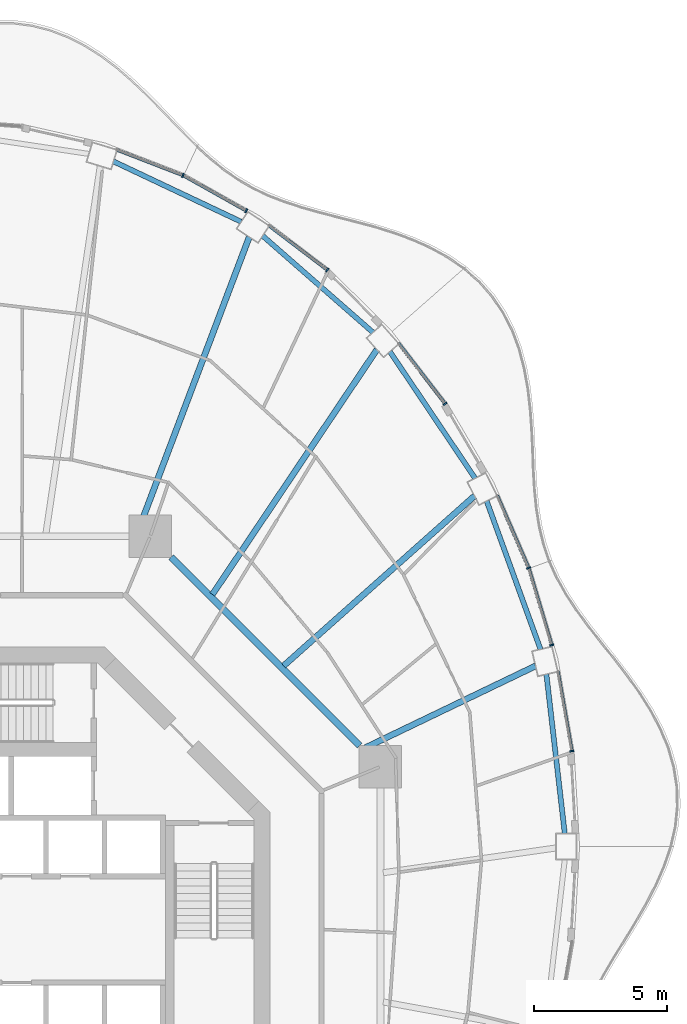
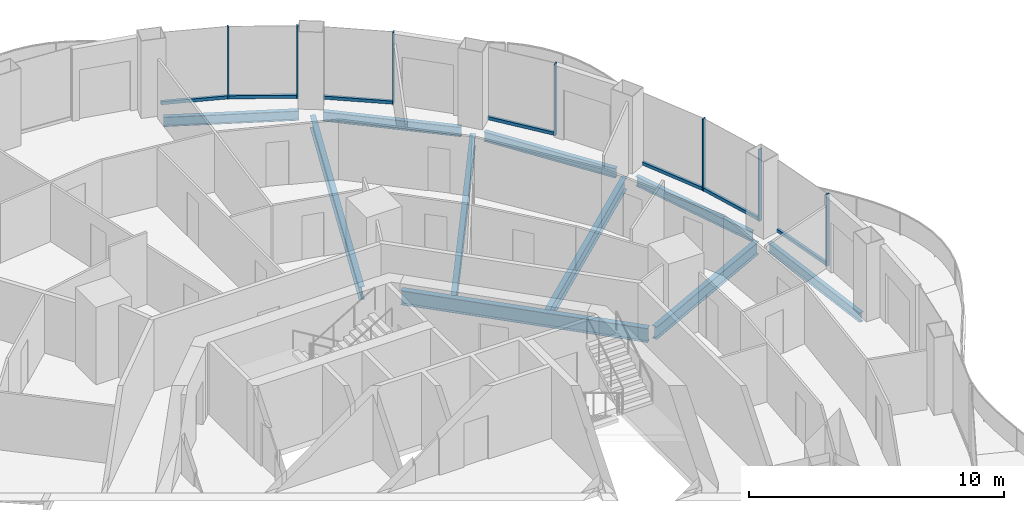
# One storey, part 7 of 18: 14 members, 10 beams, 7 elements without a shape of their own.
"""IFC4 building model written with IfcOpenShell, lengths in metres."""

from ifc_helpers import new_model, si_unit, direction, frame, origin, origin_2d, place, context, subcontext, project, spatial, rectangle, i_section, extrude, material, layer, layer_set, material_profile, profile_set, type_object, element, aggregate, save


model = new_model("IFC4")

# Units and contexts
model_context = context("Model", 3, precision=1e-05, world=origin(), true_north=direction((0.0, 1.0)))
body_context = subcontext(model_context, "Body", "Model", "MODEL_VIEW")
ifc_project = project(units=[si_unit("LENGTHUNIT", "METRE"), si_unit("AREAUNIT", "SQUARE_METRE"), si_unit("VOLUMEUNIT", "CUBIC_METRE"), si_unit("PLANEANGLEUNIT", "RADIAN"), si_unit("MASSUNIT", "GRAM", prefix="KILO")], contexts=[model_context])

# Site, building, storey
site_placement = place(None, origin())
site = spatial("IfcSite", under=ifc_project, at=site_placement, CompositionType="ELEMENT")
building_placement = place(site_placement, origin())
building = spatial("IfcBuilding", under=site, at=building_placement, Name="Nagisa Residences", CompositionType="ELEMENT")
storey_placement = place(building_placement, frame((0.0, 0.0, 238.10009765625)))
storey = spatial("IfcBuildingStorey", under=building, at=storey_placement, Name="L60", CompositionType="ELEMENT", Elevation=238.10009765625)

# Curtain wall, member
ifc_material_1 = material(Name="Concrete-coloured aluminium curtain wall system", Category="concrete")
ifc_layer = layer(ifc_material_1, 0.159912109375)
ifc_layer_set = layer_set([ifc_layer], Name="CW1 CURTAIN WALL")
curtain_wall_type = type_object("IfcCurtainWallType", Name="CW1 CURTAIN WALL", PredefinedType="NOTDEFINED", material=ifc_layer_set)
curtain_wall_1_placement = place(storey_placement, origin())
curtain_wall_1 = element("IfcCurtainWall", 1, at=curtain_wall_1_placement, inside=storey, type_object=curtain_wall_type, Name="cw:CW1:L60:01", PredefinedType="NOTDEFINED")
ifc_material_2 = material(Name="Concrete-coloured aluminium", Category="concrete")
ifc_material_profile_1 = material_profile(ifc_material_2, rectangle(XDim=0.159912109375, YDim=0.06005859375, at=origin_2d()), Name="CW1 MULLION 160x60")
ifc_profile_set_1 = profile_set([ifc_material_profile_1], Name="Concrete-coloured aluminium")
member_type_1 = type_object("IfcMemberType", Name="CW1 MULLION 160x60", PredefinedType="MULLION", material=ifc_profile_set_1)
member_1_placement = place(storey_placement, frame((21.980224609375, 6.70849609375, 0.0), z_axis=(0.0, 0.0, 1.0), x_axis=(-0.985063604377, -0.172190868898, 0.0)))
member_1 = element("IfcMember", 2, at=member_1_placement, type_object=member_type_1, Name="CW1 mullion", PredefinedType="MULLION", context=body_context, shape_type="SweptSolid", body=[
    extrude(rectangle(XDim=0.159912109375, YDim=0.06005859375, at=origin_2d()), origin(), (0.0, 0.0, 1.0), 3.43994140625),
])

curtain_wall_2_placement = place(storey_placement, origin())
curtain_wall_2 = element("IfcCurtainWall", 3, at=curtain_wall_2_placement, inside=storey, type_object=curtain_wall_type, Name="cw:CW1:L60:02", PredefinedType="NOTDEFINED")
member_2_placement = place(storey_placement, frame((21.2216796875, 10.691650390625, 0.0), z_axis=(0.0, 0.0, 1.0), x_axis=(-0.958271310082, -0.285860274038, 0.0)))
member_2 = element("IfcMember", 4, at=member_2_placement, type_object=member_type_1, Name="CW1 mullion", PredefinedType="MULLION", context=body_context, shape_type="SweptSolid", body=[
    extrude(rectangle(XDim=0.159912109375, YDim=0.06005859375, at=origin_2d()), origin(), (0.0, 0.0, 1.0), 3.43994140625),
])

curtain_wall_3_placement = place(storey_placement, origin())
curtain_wall_3 = element("IfcCurtainWall", 5, at=curtain_wall_3_placement, inside=storey, type_object=curtain_wall_type, Name="cw:CW1:L60:03", PredefinedType="NOTDEFINED")
member_3_placement = place(storey_placement, frame((20.3525390625, 13.59521484375, 0.0), z_axis=(0.0, 0.0, 1.0), x_axis=(-0.917543276295, -0.397635934147, 0.0)))
member_3 = element("IfcMember", 6, at=member_3_placement, type_object=member_type_1, Name="CW1 mullion", PredefinedType="MULLION", context=body_context, shape_type="SweptSolid", body=[
    extrude(rectangle(XDim=0.159912109375, YDim=0.06005859375, at=origin_2d()), origin(), (0.0, 0.0, 1.0), 3.43994140625),
])

curtain_wall_4_placement = place(storey_placement, origin())
curtain_wall_4 = element("IfcCurtainWall", 7, at=curtain_wall_4_placement, inside=storey, type_object=curtain_wall_type, Name="cw:CW1:L60:05", PredefinedType="NOTDEFINED")
member_4_placement = place(storey_placement, frame((17.21435546875, 19.7666015625, 0.0), z_axis=(0.0, 0.0, 1.0), x_axis=(-0.792070340816, -0.610429828235, 0.0)))
member_4 = element("IfcMember", 8, at=member_4_placement, type_object=member_type_1, Name="CW1 mullion", PredefinedType="MULLION", context=body_context, shape_type="SweptSolid", body=[
    extrude(rectangle(XDim=0.159912109375, YDim=0.06005859375, at=origin_2d()), origin(), (0.0, 0.0, 1.0), 3.43994140625),
])

curtain_wall_5_placement = place(storey_placement, origin())
curtain_wall_5 = element("IfcCurtainWall", 9, at=curtain_wall_5_placement, inside=storey, type_object=curtain_wall_type, Name="cw:CW1:L60:07", PredefinedType="NOTDEFINED")
member_5_placement = place(storey_placement, frame((12.780517578125, 24.802001953125, 0.0), z_axis=(0.0, 0.0, 1.0), x_axis=(-0.605255421737, -0.79603132756, 0.0)))
member_5 = element("IfcMember", 10, at=member_5_placement, type_object=member_type_1, Name="CW1 mullion", PredefinedType="MULLION", context=body_context, shape_type="SweptSolid", body=[
    extrude(rectangle(XDim=0.159912109375, YDim=0.06005859375, at=origin_2d()), origin(), (0.0, 0.0, 1.0), 3.43994140625),
])

curtain_wall_6_placement = place(storey_placement, origin())
curtain_wall_6 = element("IfcCurtainWall", 11, at=curtain_wall_6_placement, inside=storey, type_object=curtain_wall_type, Name="cw:CW1:L60:08", PredefinedType="NOTDEFINED")
member_6_placement = place(storey_placement, frame((9.733642578125, 27.02783203125, 0.0), z_axis=(0.0, 0.0, 1.0), x_axis=(-0.489376918501, -0.872072377523, 0.0)))
member_6 = element("IfcMember", 12, at=member_6_placement, type_object=member_type_1, Name="CW1 mullion", PredefinedType="MULLION", context=body_context, shape_type="SweptSolid", body=[
    extrude(rectangle(XDim=0.159912109375, YDim=0.06005859375, at=origin_2d()), origin(), (0.0, 0.0, 1.0), 3.43994140625),
])

curtain_wall_7_placement = place(storey_placement, origin())
curtain_wall_7 = element("IfcCurtainWall", 13, at=curtain_wall_7_placement, inside=storey, type_object=curtain_wall_type, Name="cw:CW1:L60:09", PredefinedType="NOTDEFINED")
member_7_placement = place(storey_placement, frame((7.3544921875, 28.35888671875, 0.0), z_axis=(0.0, 0.0, 1.0), x_axis=(-0.360327770268, -0.932825759707, 0.0)))
member_7 = element("IfcMember", 14, at=member_7_placement, type_object=member_type_1, Name="CW1 mullion", PredefinedType="MULLION", context=body_context, shape_type="SweptSolid", body=[
    extrude(rectangle(XDim=0.159912109375, YDim=0.06005859375, at=origin_2d()), origin(), (0.0, 0.0, 1.0), 3.43994140625),
])

# Member
ifc_material_3 = material(Name="Concrete-coloured aluminium", Category="concrete")
ifc_material_profile_2 = material_profile(ifc_material_3, rectangle(XDim=0.1201171875, YDim=0.14990234375, at=origin_2d()), Name="CW1 TRANSOM 120x150")
ifc_profile_set_2 = profile_set([ifc_material_profile_2], Name="Concrete-coloured aluminium")
member_type_2 = type_object("IfcMemberType", Name="CW1 TRANSOM 120x150", PredefinedType="USERDEFINED", material=ifc_profile_set_2)
member_8_placement = place(storey_placement, frame((21.9853515625, 6.678955078125, 0.074951171875), z_axis=(-0.172241318156, 0.985054784426, 0.0), x_axis=(-0.985054784426, -0.172241318156, 0.0)))
member_8 = element("IfcMember", 15, at=member_8_placement, type_object=member_type_2, Name="CW1 transom", ObjectType="TRANSOM", PredefinedType="USERDEFINED", context=body_context, shape_type="SweptSolid", body=[
    extrude(rectangle(XDim=0.1201171875, YDim=0.14990234375, at=origin_2d()), origin(), (0.0, 0.0, 1.0), 3.0673828125),
])

aggregate(curtain_wall_1, [member_1, member_8])

member_9_placement = place(storey_placement, frame((21.230224609375, 10.6630859375, 0.074951171875), z_axis=(-0.285881452443, 0.958264992134, 0.0), x_axis=(-0.958264992134, -0.285881452443, 0.0)))
member_9 = element("IfcMember", 16, at=member_9_placement, type_object=member_type_2, Name="CW1 transom", ObjectType="TRANSOM", PredefinedType="USERDEFINED", context=body_context, shape_type="SweptSolid", body=[
    extrude(rectangle(XDim=0.1201171875, YDim=0.14990234375, at=origin_2d()), origin(), (0.0, 0.0, 1.0), 3.040283203125),
])

aggregate(curtain_wall_2, [member_2, member_9])

member_10_placement = place(storey_placement, frame((20.3642578125, 13.567626953125, 0.074951171875), z_axis=(-0.397616567135, 0.917551669139, 0.0), x_axis=(-0.917551669139, -0.397616567135, 0.0)))
member_10 = element("IfcMember", 17, at=member_10_placement, type_object=member_type_2, Name="CW1 transom", ObjectType="TRANSOM", PredefinedType="USERDEFINED", context=body_context, shape_type="SweptSolid", body=[
    extrude(rectangle(XDim=0.1201171875, YDim=0.14990234375, at=origin_2d()), origin(), (0.0, 0.0, 1.0), 3.001953125),
])

aggregate(curtain_wall_3, [member_3, member_10])

member_11_placement = place(storey_placement, frame((17.232666015625, 19.742919921875, 0.074951171875), z_axis=(-0.610438565676, 0.792063607001, 0.0), x_axis=(-0.792063607001, -0.610438565676, 0.0)))
member_11 = element("IfcMember", 18, at=member_11_placement, type_object=member_type_2, Name="CW1 transom", ObjectType="TRANSOM", PredefinedType="USERDEFINED", context=body_context, shape_type="SweptSolid", body=[
    extrude(rectangle(XDim=0.1201171875, YDim=0.14990234375, at=origin_2d()), origin(), (0.0, 0.0, 1.0), 2.90087890625),
])

aggregate(curtain_wall_4, [member_4, member_11])

member_12_placement = place(storey_placement, frame((12.804443359375, 24.783935546875, 0.074951171875), z_axis=(-0.795990084031, 0.60530966135, 0.0), x_axis=(-0.60530966135, -0.795990084031, 0.0)))
member_12 = element("IfcMember", 19, at=member_12_placement, type_object=member_type_2, Name="CW1 transom", ObjectType="TRANSOM", PredefinedType="USERDEFINED", context=body_context, shape_type="SweptSolid", body=[
    extrude(rectangle(XDim=0.1201171875, YDim=0.14990234375, at=origin_2d()), origin(), (0.0, 0.0, 1.0), 2.78857421875),
])

aggregate(curtain_wall_5, [member_5, member_12])

member_13_placement = place(storey_placement, frame((9.759765625, 27.012939453125, 0.074951171875), z_axis=(-0.872041873719, 0.489431272479, 0.0), x_axis=(-0.489431272479, -0.872041873719, 0.0)))
member_13 = element("IfcMember", 20, at=member_13_placement, type_object=member_type_2, Name="CW1 transom", ObjectType="TRANSOM", PredefinedType="USERDEFINED", context=body_context, shape_type="SweptSolid", body=[
    extrude(rectangle(XDim=0.1201171875, YDim=0.14990234375, at=origin_2d()), origin(), (0.0, 0.0, 1.0), 2.738037109375),
])

aggregate(curtain_wall_6, [member_6, member_13])

member_14_placement = place(storey_placement, frame((7.38232421875, 28.34814453125, 0.074951171875), z_axis=(-0.932826499224, 0.360325855782, 0.0), x_axis=(-0.360325855782, -0.932826499224, 0.0)))
member_14 = element("IfcMember", 21, at=member_14_placement, type_object=member_type_2, Name="CW1 transom", ObjectType="TRANSOM", PredefinedType="USERDEFINED", context=body_context, shape_type="SweptSolid", body=[
    extrude(rectangle(XDim=0.1201171875, YDim=0.14990234375, at=origin_2d()), origin(), (0.0, 0.0, 1.0), 2.696044921875),
])

aggregate(curtain_wall_7, [member_7, member_14])

# Beams
ifc_material_4 = material(Name="Steel ASTM A572 Gr 50", Category="steel")
ifc_material_profile_3 = material_profile(ifc_material_4, i_section(OverallWidth=0.2529296875, OverallDepth=0.677978515625, WebThickness=0.01171875, FlangeThickness=0.016357421875, at=origin_2d()), Name="W690x125")
ifc_profile_set_3 = profile_set([ifc_material_profile_3], Name="Steel ASTM A572 Gr 50")
beam_type_1 = type_object("IfcBeamType", Name="Inner ring beam W690x125", PredefinedType="BEAM", material=ifc_profile_set_3)
beam_1_placement = place(storey_placement, frame((13.99609375, 6.90869140625, -0.59912109375), z_axis=(-0.707106781187, 0.707106781187, 0.0), x_axis=(-0.707106781187, -0.707106781187, 0.0)))
element("IfcBeam", 22, at=beam_1_placement, inside=storey, type_object=beam_type_1, Name="beam:L60:ib1", PredefinedType="BEAM", context=body_context, shape_type="SweptSolid", body=[
    extrude(i_section(OverallWidth=0.2529296875, OverallDepth=0.677978515625, WebThickness=0.01171875, FlangeThickness=0.016357421875, at=origin_2d()), origin(), (0.0, 0.0, 1.0), 10.023193359375),
])
ifc_material_5 = material(Name="Steel ASTM A572 Gr 50", Category="steel")
ifc_material_profile_4 = material_profile(ifc_material_5, i_section(OverallWidth=0.18994140625, OverallDepth=0.45703125, WebThickness=0.009033203125, FlangeThickness=0.014404296875, at=origin_2d()), Name="W460x74")
ifc_profile_set_4 = profile_set([ifc_material_profile_4], Name="Steel ASTM A572 Gr 50")
beam_type_2 = type_object("IfcBeamType", Name="Perimeter ring beam W460x74", PredefinedType="BEAM", material=ifc_profile_set_4)
beam_2_placement = place(storey_placement, frame((21.714599609375, 3.597900390625, -0.488525390625), z_axis=(-0.114650193512, 0.993405925656, 0.0), x_axis=(-0.993405925656, -0.114650193512, 0.0)))
element("IfcBeam", 23, at=beam_2_placement, inside=storey, type_object=beam_type_2, Name="beam:L60:pb01", PredefinedType="BEAM", context=body_context, shape_type="SweptSolid", body=[
    extrude(i_section(OverallWidth=0.18994140625, OverallDepth=0.45703125, WebThickness=0.009033203125, FlangeThickness=0.014404296875, at=origin_2d()), origin(), (0.0, 0.0, 1.0), 6.0390625),
])
beam_3_placement = place(storey_placement, frame((20.802001953125, 10.53173828125, -0.488525390625), z_axis=(-0.34127712749, 0.939962723863, 0.0), x_axis=(-0.939962723863, -0.34127712749, 0.0)))
element("IfcBeam", 24, at=beam_3_placement, inside=storey, type_object=beam_type_2, Name="beam:L60:pb02", PredefinedType="BEAM", context=body_context, shape_type="SweptSolid", body=[
    extrude(i_section(OverallWidth=0.18994140625, OverallDepth=0.45703125, WebThickness=0.009033203125, FlangeThickness=0.014404296875, at=origin_2d()), origin(), (0.0, 0.0, 1.0), 5.9326171875),
])
beam_4_placement = place(storey_placement, frame((18.34228515625, 16.964111328125, -0.488525390625), z_axis=(-0.558109119402, 0.829767564345, 0.0), x_axis=(-0.829767564345, -0.558109119402, 0.0)))
element("IfcBeam", 25, at=beam_4_placement, inside=storey, type_object=beam_type_2, Name="beam:L60:pb03", PredefinedType="BEAM", context=body_context, shape_type="SweptSolid", body=[
    extrude(i_section(OverallWidth=0.18994140625, OverallDepth=0.45703125, WebThickness=0.009033203125, FlangeThickness=0.014404296875, at=origin_2d()), origin(), (0.0, 0.0, 1.0), 5.74365234375),
])
beam_5_placement = place(storey_placement, frame((14.502197265625, 22.45068359375, -0.488525390625), z_axis=(-0.75242320672, 0.65867998147, 0.0), x_axis=(-0.65867998147, -0.75242320672, 0.0)))
element("IfcBeam", 26, at=beam_5_placement, inside=storey, type_object=beam_type_2, Name="beam:L60:pb04", PredefinedType="BEAM", context=body_context, shape_type="SweptSolid", body=[
    extrude(i_section(OverallWidth=0.18994140625, OverallDepth=0.45703125, WebThickness=0.009033203125, FlangeThickness=0.014404296875, at=origin_2d()), origin(), (0.0, 0.0, 1.0), 5.5185546875),
])
beam_6_placement = place(storey_placement, frame((9.546630859375, 26.6123046875, -0.488525390625), z_axis=(-0.904133867308, 0.42724928319, 0.0), x_axis=(-0.42724928319, -0.904133867308, 0.0)))
element("IfcBeam", 27, at=beam_6_placement, inside=storey, type_object=beam_type_2, Name="beam:L60:pb05", PredefinedType="BEAM", context=body_context, shape_type="SweptSolid", body=[
    extrude(i_section(OverallWidth=0.18994140625, OverallDepth=0.45703125, WebThickness=0.009033203125, FlangeThickness=0.014404296875, at=origin_2d()), origin(), (0.0, 0.0, 1.0), 5.317138671875),
])
ifc_material_6 = material(Name="Steel ASTM A572 Gr 50", Category="steel")
ifc_material_profile_5 = material_profile(ifc_material_6, i_section(OverallWidth=0.22802734375, OverallDepth=0.60302734375, WebThickness=0.010498046875, FlangeThickness=0.014892578125, at=origin_2d()), Name="W610x101")
ifc_profile_set_5 = profile_set([ifc_material_profile_5], Name="Steel ASTM A572 Gr 50")
beam_type_3 = type_object("IfcBeamType", Name="Radial beam W610x101", PredefinedType="BEAM", material=ifc_profile_set_5)
beam_7_placement = place(storey_placement, frame((20.61572265625, 9.90869140625, -0.5615234375), z_axis=(-0.901297388138, -0.433200898124, 0.0), x_axis=(0.433200898124, -0.901297388138, 0.0)))
element("IfcBeam", 28, at=beam_7_placement, inside=storey, type_object=beam_type_3, Name="beam:L60:rb02", PredefinedType="BEAM", context=body_context, shape_type="SweptSolid", body=[
    extrude(i_section(OverallWidth=0.22802734375, OverallDepth=0.60302734375, WebThickness=0.010498046875, FlangeThickness=0.014892578125, at=origin_2d()), origin(), (0.0, 0.0, 1.0), 7.09423828125),
])
beam_8_placement = place(storey_placement, frame((18.318115234375, 16.301025390625, -0.5615234375), z_axis=(-0.747027831774, -0.664792763615, 0.0), x_axis=(0.664792763615, -0.747027831774, 0.0)))
element("IfcBeam", 29, at=beam_8_placement, inside=storey, type_object=beam_type_3, Name="beam:L60:rb03", PredefinedType="BEAM", context=body_context, shape_type="SweptSolid", body=[
    extrude(i_section(OverallWidth=0.22802734375, OverallDepth=0.60302734375, WebThickness=0.010498046875, FlangeThickness=0.014892578125, at=origin_2d()), origin(), (0.0, 0.0, 1.0), 9.607177734375),
])
beam_9_placement = place(storey_placement, frame((14.64697265625, 21.804931640625, -0.5615234375), z_axis=(-0.557606656779, -0.830105304354, 0.0), x_axis=(0.830105304354, -0.557606656779, 0.0)))
element("IfcBeam", 30, at=beam_9_placement, inside=storey, type_object=beam_type_3, Name="beam:L60:rb04", PredefinedType="BEAM", context=body_context, shape_type="SweptSolid", body=[
    extrude(i_section(OverallWidth=0.22802734375, OverallDepth=0.60302734375, WebThickness=0.010498046875, FlangeThickness=0.014892578125, at=origin_2d()), origin(), (0.0, 0.0, 1.0), 11.09423828125),
])
beam_10_placement = place(storey_placement, frame((9.84716796875, 26.04052734375, -0.5615234375), z_axis=(-0.353700839295, -0.935358603041, 0.0), x_axis=(0.935358603041, -0.353700839295, 0.0)))
element("IfcBeam", 31, at=beam_10_placement, inside=storey, type_object=beam_type_3, Name="beam:L60:rb05", PredefinedType="BEAM", context=body_context, shape_type="SweptSolid", body=[
    extrude(i_section(OverallWidth=0.22802734375, OverallDepth=0.60302734375, WebThickness=0.010498046875, FlangeThickness=0.014892578125, at=origin_2d()), origin(), (0.0, 0.0, 1.0), 11.921142578125),
])

save(model, "model.ifc")
